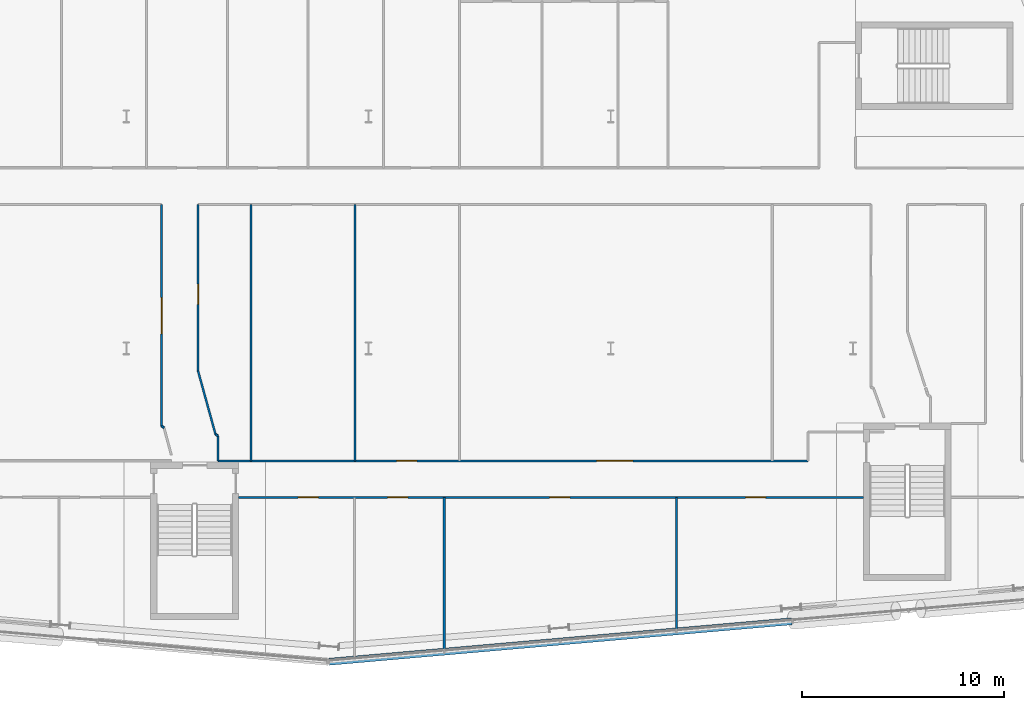
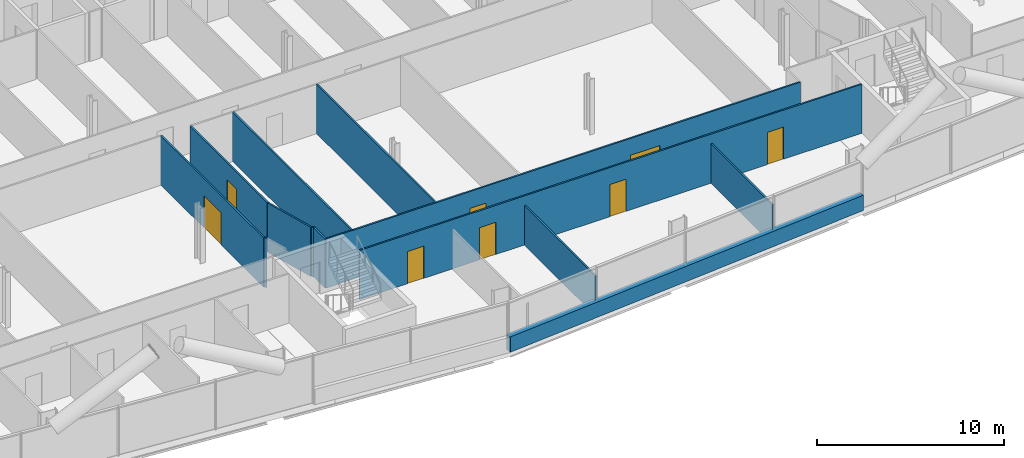
# One storey, part 15 of 28: 13 walls, 8 doors, 8 openings.
"""IFC4 building model written with IfcOpenShell, lengths in metres."""

from ifc_helpers import new_model, si_unit, direction, frame, frame_2d, origin, place, context, subcontext, project, spatial, rectangle, extrude, material, layer, layer_set, type_object, element, fill, save


model = new_model("IFC4")

# Units and contexts
model_context = context("Model", 3, precision=1e-05, world=origin(), true_north=direction((0.0, 1.0)))
body_context = subcontext(model_context, "Body", "Model", "MODEL_VIEW")
ifc_project = project(units=[si_unit("LENGTHUNIT", "METRE"), si_unit("AREAUNIT", "SQUARE_METRE"), si_unit("VOLUMEUNIT", "CUBIC_METRE"), si_unit("PLANEANGLEUNIT", "RADIAN"), si_unit("MASSUNIT", "GRAM", prefix="KILO")], contexts=[model_context])

# Site, building, storey
site_placement = place(None, origin())
site = spatial("IfcSite", under=ifc_project, at=site_placement, CompositionType="ELEMENT")
building_placement = place(site_placement, origin())
building = spatial("IfcBuilding", under=site, at=building_placement, Name="Wharfspan Tower", CompositionType="ELEMENT")
storey_placement = place(building_placement, frame((0.0, 0.0, 59.5)))
storey = spatial("IfcBuildingStorey", under=building, at=storey_placement, Name="L11", CompositionType="ELEMENT", Elevation=59.5)

# Wall, opening, door
ifc_material_1 = material(Name="Gypsum board on steel studs", Category="steel")
ifc_layer_1 = layer(ifc_material_1, 0.100098)
ifc_layer_set_1 = layer_set([ifc_layer_1], Name="Gypsum board on steel studs")
wall_type_1 = type_object("IfcWallType", Name="Compartment wall 100 EI 60", PredefinedType="PARTITIONING", material=ifc_layer_set_1)
wall_1_placement = place(storey_placement, frame((37.745117, 7.659912, 0.0), z_axis=(0.0, 0.0, 1.0), x_axis=(0.0, 1.0, 0.0)))
wall_1 = element("IfcWall", 1, at=wall_1_placement, inside=storey, type_object=wall_type_1, Name="Partition L11.w034", PredefinedType="PARTITIONING", context=body_context, shape_type="SweptSolid", body=[
    extrude(rectangle(XDim=10.97998, YDim=0.100098, at=frame_2d((5.48999, 0.0))), origin(), (0.0, 0.0, 1.0), 3.199951),
])
opening_1_placement = place(wall_1_placement, frame((4.554932, 0.0, 0.0)))
opening_1 = element("IfcOpeningElement", 2, at=opening_1_placement, cuts=wall_1, Name="Opening A2-18", PredefinedType="OPENING", context=body_context, shape_type="SweptSolid", body=[
    extrude(rectangle(XDim=1.800049, YDim=2.100098, at=frame_2d((0.899902, 1.050049))), frame((0.0, 0.060059, 0.0), z_axis=(0.0, -1.0, 0.0), x_axis=(1.0, 0.0, 0.0)), (0.0, 0.0, 1.0), 0.120117),
])
ifc_material_2 = material(Name="Fire-rated timber door leaf in steel frame", Category="steel")
door_type_1 = type_object("IfcDoorType", Name="Door 1800 FD30S Double", OperationType="DOUBLE_DOOR_SINGLE_SWING", PredefinedType="DOOR", material=ifc_material_2)
door_1_placement = place(opening_1_placement, origin())
door_1 = element("IfcDoor", 3, at=door_1_placement, inside=storey, type_object=door_type_1, Name="Door A2-18", OperationType="DOUBLE_DOOR_SINGLE_SWING", OverallHeight=2.100098, OverallWidth=1.800049, PredefinedType="DOOR", context=body_context, shape_type="SweptSolid", body=[
    extrude(rectangle(XDim=1.800049, YDim=2.100098, at=frame_2d((0.899902, 1.050049))), frame((0.0, 0.024902, 0.0), z_axis=(0.0, -1.0, 0.0), x_axis=(1.0, 0.0, 0.0)), (0.0, 0.0, 1.0), 0.050049),
])
fill(opening_1, door_1)

# Wall
wall_2_placement = place(storey_placement, frame((37.86499, 7.570068, 0.0), z_axis=(0.0, 0.0, 1.0), x_axis=(-0.800198, 0.599741, 0.0)))
element("IfcWall", 4, at=wall_2_placement, inside=storey, type_object=wall_type_1, Name="Partition L11.w035", PredefinedType="PARTITIONING", context=body_context, shape_type="SweptSolid", body=[
    extrude(rectangle(XDim=0.149902, YDim=0.100098, at=frame_2d((0.074951, 0.0))), origin(), (0.0, 0.0, 1.0), 3.199951),
])

# Wall, opening, door
wall_3_placement = place(storey_placement, frame((39.550049, 10.389893, 0.0), z_axis=(0.0, 0.0, 1.0), x_axis=(0.0, 1.0, 0.0)))
wall_3 = element("IfcWall", 5, at=wall_3_placement, inside=storey, type_object=wall_type_1, Name="Partition L11.w037", PredefinedType="PARTITIONING", context=body_context, shape_type="SweptSolid", body=[
    extrude(rectangle(XDim=8.25, YDim=0.100098, at=frame_2d((4.125, 0.0))), origin(), (0.0, 0.0, 1.0), 3.199951),
])
opening_2_placement = place(wall_3_placement, frame((3.292969, 0.0, 0.0)))
opening_2 = element("IfcOpeningElement", 6, at=opening_2_placement, cuts=wall_3, Name="Opening A2-19", PredefinedType="OPENING", context=body_context, shape_type="SweptSolid", body=[
    extrude(rectangle(XDim=1.0, YDim=2.100098, at=frame_2d((0.5, 1.050049))), frame((0.0, 0.060059, 0.0), z_axis=(0.0, -1.0, 0.0), x_axis=(1.0, 0.0, 0.0)), (0.0, 0.0, 1.0), 0.120117),
])
door_type_2 = type_object("IfcDoorType", Name="Door 1000 FD30S Left", OperationType="SINGLE_SWING_LEFT", PredefinedType="DOOR", material=ifc_material_2)
door_2_placement = place(opening_2_placement, origin())
door_2 = element("IfcDoor", 7, at=door_2_placement, inside=storey, type_object=door_type_2, Name="Door A2-19", OperationType="SINGLE_SWING_LEFT", OverallHeight=2.100098, OverallWidth=1.0, PredefinedType="DOOR", context=body_context, shape_type="SweptSolid", body=[
    extrude(rectangle(XDim=1.0, YDim=2.100098, at=frame_2d((0.5, 1.050049))), frame((0.0, 0.024902, 0.0), z_axis=(0.0, -1.0, 0.0), x_axis=(1.0, 0.0, 0.0)), (0.0, 0.0, 1.0), 0.050049),
])
fill(opening_2, door_2)

# Walls
wall_4_placement = place(storey_placement, frame((40.415039, 7.25, 0.0), z_axis=(0.0, 0.0, 1.0), x_axis=(-0.26559, 0.964085, 0.0)))
element("IfcWall", 8, at=wall_4_placement, inside=storey, type_object=wall_type_1, Name="Partition L11.w039", PredefinedType="PARTITIONING", context=body_context, shape_type="SweptSolid", body=[
    extrude(rectangle(XDim=3.256836, YDim=0.100098, at=frame_2d((1.628418, 0.0))), origin(), (0.0, 0.0, 1.0), 3.199951),
])
wall_5_placement = place(storey_placement, frame((40.534912, 5.925049, 0.0), z_axis=(0.0, 0.0, 1.0), x_axis=(0.0, 1.0, 0.0)))
element("IfcWall", 9, at=wall_5_placement, inside=storey, type_object=wall_type_1, Name="Partition L11.w040", PredefinedType="PARTITIONING", context=body_context, shape_type="SweptSolid", body=[
    extrude(rectangle(XDim=1.234863, YDim=0.100098, at=frame_2d((0.617432, 0.0))), origin(), (0.0, 0.0, 1.0), 3.199951),
])

# Wall, openings, doors
wall_6_placement = place(storey_placement, frame((40.534912, 5.925049, 0.0), z_axis=(0.0, 0.0, 1.0), x_axis=(1.0, 0.0, 0.0)))
wall_6 = element("IfcWall", 10, at=wall_6_placement, inside=storey, type_object=wall_type_1, Name="Partition L11.w041", PredefinedType="PARTITIONING", context=body_context, shape_type="SweptSolid", body=[
    extrude(rectangle(XDim=29.22998, YDim=0.100098, at=frame_2d((14.61499, 0.0))), origin(), (0.0, 0.0, 1.0), 3.199951),
])
opening_3_placement = place(wall_6_placement, frame((8.860107, 0.0, 0.0)))
opening_3 = element("IfcOpeningElement", 11, at=opening_3_placement, cuts=wall_6, Name="Opening A2-15", PredefinedType="OPENING", context=body_context, shape_type="SweptSolid", body=[
    extrude(rectangle(XDim=1.0, YDim=2.100098, at=frame_2d((0.5, 1.050049))), frame((0.0, 0.060059, 0.0), z_axis=(0.0, -1.0, 0.0), x_axis=(1.0, 0.0, 0.0)), (0.0, 0.0, 1.0), 0.120117),
])
opening_4_placement = place(wall_6_placement, frame((18.764893, 0.0, 0.0)))
opening_4 = element("IfcOpeningElement", 12, at=opening_4_placement, cuts=wall_6, Name="Opening A2-16", PredefinedType="OPENING", context=body_context, shape_type="SweptSolid", body=[
    extrude(rectangle(XDim=1.800049, YDim=2.100098, at=frame_2d((0.899902, 1.050049))), frame((0.0, 0.060059, 0.0), z_axis=(0.0, -1.0, 0.0), x_axis=(1.0, 0.0, 0.0)), (0.0, 0.0, 1.0), 0.120117),
])
door_3_placement = place(opening_3_placement, origin())
door_3 = element("IfcDoor", 13, at=door_3_placement, inside=storey, type_object=door_type_2, Name="Door A2-15", OperationType="SINGLE_SWING_LEFT", OverallHeight=2.100098, OverallWidth=1.0, PredefinedType="DOOR", context=body_context, shape_type="SweptSolid", body=[
    extrude(rectangle(XDim=1.0, YDim=2.100098, at=frame_2d((0.5, 1.050049))), frame((0.0, 0.024902, 0.0), z_axis=(0.0, -1.0, 0.0), x_axis=(1.0, 0.0, 0.0)), (0.0, 0.0, 1.0), 0.050049),
])
fill(opening_3, door_3)
door_4_placement = place(opening_4_placement, origin())
door_4 = element("IfcDoor", 14, at=door_4_placement, inside=storey, type_object=door_type_1, Name="Door A2-16", OperationType="DOUBLE_DOOR_SINGLE_SWING", OverallHeight=2.100098, OverallWidth=1.800049, PredefinedType="DOOR", context=body_context, shape_type="SweptSolid", body=[
    extrude(rectangle(XDim=1.800049, YDim=2.100098, at=frame_2d((0.899902, 1.050049))), frame((0.0, 0.024902, 0.0), z_axis=(0.0, -1.0, 0.0), x_axis=(1.0, 0.0, 0.0)), (0.0, 0.0, 1.0), 0.050049),
])
fill(opening_4, door_4)

# Wall
wall_7_placement = place(storey_placement, frame((40.534912, 7.159912, 0.0), z_axis=(0.0, 0.0, 1.0), x_axis=(-0.799412, 0.60078, 0.0)))
element("IfcWall", 15, at=wall_7_placement, inside=storey, type_object=wall_type_1, Name="Partition L11.w042", PredefinedType="PARTITIONING", context=body_context, shape_type="SweptSolid", body=[
    extrude(rectangle(XDim=0.149902, YDim=0.100098, at=frame_2d((0.074951, 0.0))), origin(), (0.0, 0.0, 1.0), 3.199951),
])

# Wall, openings, doors
wall_8_placement = place(storey_placement, frame((41.55835, 4.120117, 0.0), z_axis=(0.0, 0.0, 1.0), x_axis=(1.0, 0.0, 0.0)))
wall_8 = element("IfcWall", 16, at=wall_8_placement, inside=storey, type_object=wall_type_1, Name="Partition L11.w044", PredefinedType="PARTITIONING", context=body_context, shape_type="SweptSolid", body=[
    extrude(rectangle(XDim=30.959229, YDim=0.100098, at=frame_2d((15.479492, 0.0))), origin(), (0.0, 0.0, 1.0), 3.199951),
])
opening_5_placement = place(wall_8_placement, frame((2.95166, 0.0, 0.0)))
opening_5 = element("IfcOpeningElement", 17, at=opening_5_placement, cuts=wall_8, Name="Opening A2-07", PredefinedType="OPENING", context=body_context, shape_type="SweptSolid", body=[
    extrude(rectangle(XDim=1.0, YDim=2.100098, at=frame_2d((0.5, 1.050049))), frame((0.0, 0.060059, 0.0), z_axis=(0.0, -1.0, 0.0), x_axis=(1.0, 0.0, 0.0)), (0.0, 0.0, 1.0), 0.120117),
])
opening_6_placement = place(wall_8_placement, frame((7.386719, 0.0, 0.0)))
opening_6 = element("IfcOpeningElement", 18, at=opening_6_placement, cuts=wall_8, Name="Opening A2-08", PredefinedType="OPENING", context=body_context, shape_type="SweptSolid", body=[
    extrude(rectangle(XDim=1.0, YDim=2.100098, at=frame_2d((0.5, 1.050049))), frame((0.0, 0.060059, 0.0), z_axis=(0.0, -1.0, 0.0), x_axis=(1.0, 0.0, 0.0)), (0.0, 0.0, 1.0), 0.120117),
])
opening_7_placement = place(wall_8_placement, frame((15.416748, 0.0, 0.0)))
opening_7 = element("IfcOpeningElement", 19, at=opening_7_placement, cuts=wall_8, Name="Opening A2-09", PredefinedType="OPENING", context=body_context, shape_type="SweptSolid", body=[
    extrude(rectangle(XDim=1.0, YDim=2.100098, at=frame_2d((0.5, 1.050049))), frame((0.0, 0.060059, 0.0), z_axis=(0.0, -1.0, 0.0), x_axis=(1.0, 0.0, 0.0)), (0.0, 0.0, 1.0), 0.120117),
])
opening_8_placement = place(wall_8_placement, frame((25.116699, 0.0, 0.0)))
opening_8 = element("IfcOpeningElement", 20, at=opening_8_placement, cuts=wall_8, Name="Opening A2-10", PredefinedType="OPENING", context=body_context, shape_type="SweptSolid", body=[
    extrude(rectangle(XDim=1.0, YDim=2.100098, at=frame_2d((0.5, 1.050049))), frame((0.0, 0.060059, 0.0), z_axis=(0.0, -1.0, 0.0), x_axis=(1.0, 0.0, 0.0)), (0.0, 0.0, 1.0), 0.120117),
])
door_5_placement = place(opening_5_placement, origin())
door_5 = element("IfcDoor", 21, at=door_5_placement, inside=storey, type_object=door_type_2, Name="Door A2-07", OperationType="SINGLE_SWING_LEFT", OverallHeight=2.100098, OverallWidth=1.0, PredefinedType="DOOR", context=body_context, shape_type="SweptSolid", body=[
    extrude(rectangle(XDim=1.0, YDim=2.100098, at=frame_2d((0.5, 1.050049))), frame((0.0, 0.024902, 0.0), z_axis=(0.0, -1.0, 0.0), x_axis=(1.0, 0.0, 0.0)), (0.0, 0.0, 1.0), 0.050049),
])
fill(opening_5, door_5)
door_6_placement = place(opening_6_placement, origin())
door_6 = element("IfcDoor", 22, at=door_6_placement, inside=storey, type_object=door_type_2, Name="Door A2-08", OperationType="SINGLE_SWING_LEFT", OverallHeight=2.100098, OverallWidth=1.0, PredefinedType="DOOR", context=body_context, shape_type="SweptSolid", body=[
    extrude(rectangle(XDim=1.0, YDim=2.100098, at=frame_2d((0.5, 1.050049))), frame((0.0, 0.024902, 0.0), z_axis=(0.0, -1.0, 0.0), x_axis=(1.0, 0.0, 0.0)), (0.0, 0.0, 1.0), 0.050049),
])
fill(opening_6, door_6)
door_type_3 = type_object("IfcDoorType", Name="Door 1000 FD30S Right", OperationType="SINGLE_SWING_RIGHT", PredefinedType="DOOR", material=ifc_material_2)
door_7_placement = place(opening_7_placement, origin())
door_7 = element("IfcDoor", 23, at=door_7_placement, inside=storey, type_object=door_type_3, Name="Door A2-09", OperationType="SINGLE_SWING_RIGHT", OverallHeight=2.100098, OverallWidth=1.0, PredefinedType="DOOR", context=body_context, shape_type="SweptSolid", body=[
    extrude(rectangle(XDim=1.0, YDim=2.100098, at=frame_2d((0.5, 1.050049))), frame((0.0, 0.024902, 0.0), z_axis=(0.0, -1.0, 0.0), x_axis=(1.0, 0.0, 0.0)), (0.0, 0.0, 1.0), 0.050049),
])
fill(opening_7, door_7)
door_8_placement = place(opening_8_placement, origin())
door_8 = element("IfcDoor", 24, at=door_8_placement, inside=storey, type_object=door_type_3, Name="Door A2-10", OperationType="SINGLE_SWING_RIGHT", OverallHeight=2.100098, OverallWidth=1.0, PredefinedType="DOOR", context=body_context, shape_type="SweptSolid", body=[
    extrude(rectangle(XDim=1.0, YDim=2.100098, at=frame_2d((0.5, 1.050049))), frame((0.0, 0.024902, 0.0), z_axis=(0.0, -1.0, 0.0), x_axis=(1.0, 0.0, 0.0)), (0.0, 0.0, 1.0), 0.050049),
])
fill(opening_8, door_8)

# Walls
for number, where, z_axis, x_axis, name in (
    (25, (42.165039, 5.925049, 0.0), (0.0, 0.0, 1.0), (0.0, 1.0, 0.0), "Partition L11.w045"),
    (26, (47.334961, 5.925049, 0.0), (0.0, 0.0, 1.0), (0.0, 1.0, 0.0), "Partition L11.w048"),
):
    element("IfcWall", number, at=place(storey_placement, frame(where, z_axis=z_axis, x_axis=x_axis)), inside=storey, type_object=wall_type_1, Name=name, PredefinedType="PARTITIONING", context=body_context, shape_type="SweptSolid", body=[
        extrude(rectangle(XDim=12.714844, YDim=0.100098, at=frame_2d((6.357422, 0.0))), origin(), (0.0, 0.0, 1.0), 3.199951),
    ])
wall_9_placement = place(storey_placement, frame((51.75, -3.501221, 0.0), z_axis=(0.0, 0.0, 1.0), x_axis=(0.0, 1.0, 0.0)))
element("IfcWall", 27, at=wall_9_placement, inside=storey, type_object=wall_type_1, Name="Partition L11.w050", PredefinedType="PARTITIONING", context=body_context, shape_type="SweptSolid", body=[
    extrude(rectangle(XDim=7.621338, YDim=0.100098, at=frame_2d((3.810547, 0.0))), origin(), (0.0, 0.0, 1.0), 2.580078),
])
wall_10_placement = place(storey_placement, frame((63.25, -2.495117, 0.0), z_axis=(0.0, 0.0, 1.0), x_axis=(0.0, 1.0, 0.0)))
element("IfcWall", 28, at=wall_10_placement, inside=storey, type_object=wall_type_1, Name="Partition L11.w057", PredefinedType="PARTITIONING", context=body_context, shape_type="SweptSolid", body=[
    extrude(rectangle(XDim=6.615234, YDim=0.100098, at=frame_2d((3.307617, 0.0))), origin(), (0.0, 0.0, 1.0), 2.580078),
])
ifc_material_3 = material(Name="Concrete C40/50", Category="concrete")
ifc_layer_2 = layer(ifc_material_3, 0.350098)
ifc_layer_set_2 = layer_set([ifc_layer_2], Name="Concrete C40/50")
wall_type_2 = type_object("IfcWallType", Name="SPANDREL EXPOSED CONCRETE 350", PredefinedType="SOLIDWALL", material=ifc_layer_set_2)
wall_11_placement = place(storey_placement, frame((46.04541, -4.025635, 0.0), z_axis=(0.0, 0.0, 1.0), x_axis=(0.99619, 0.087163, 0.0)))
element("IfcWall", 29, at=wall_11_placement, inside=storey, type_object=wall_type_2, Name="Spandrel upstand L11 S2 1", PredefinedType="SOLIDWALL", context=body_context, shape_type="SweptSolid", body=[
    extrude(rectangle(XDim=23.012695, YDim=0.350098, at=frame_2d((11.506348, 0.0))), origin(), (0.0, 0.0, 1.0), 1.0),
])

save(model, "model.ifc")
